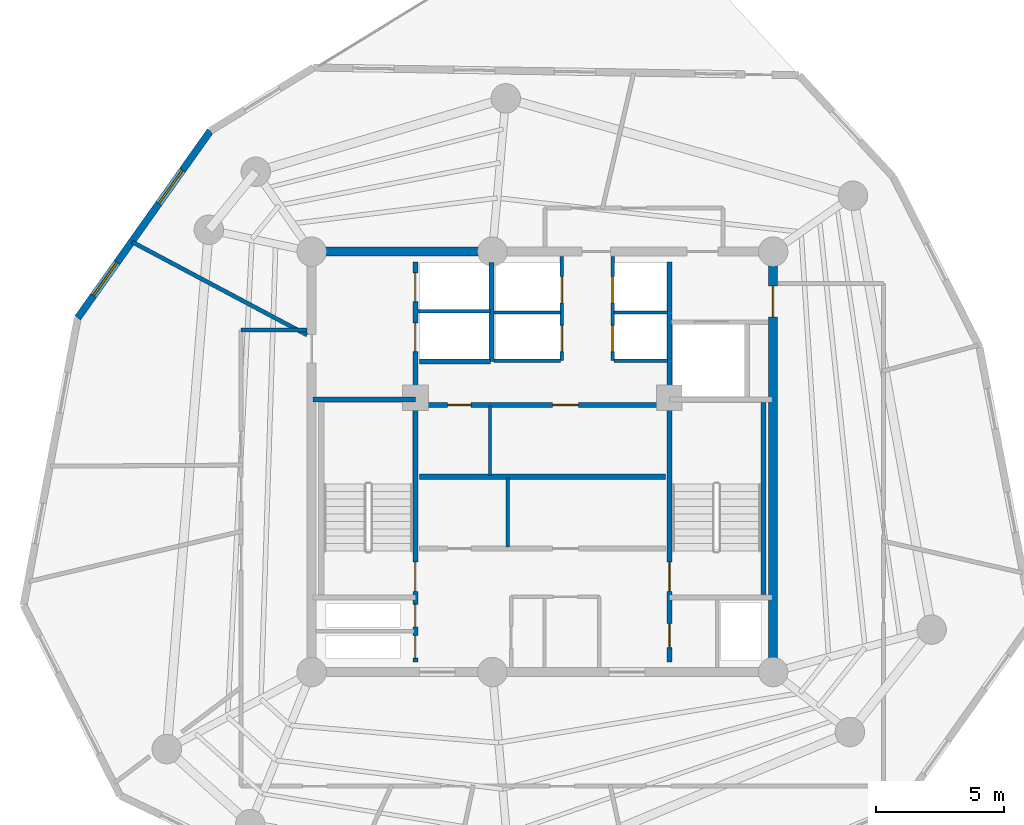
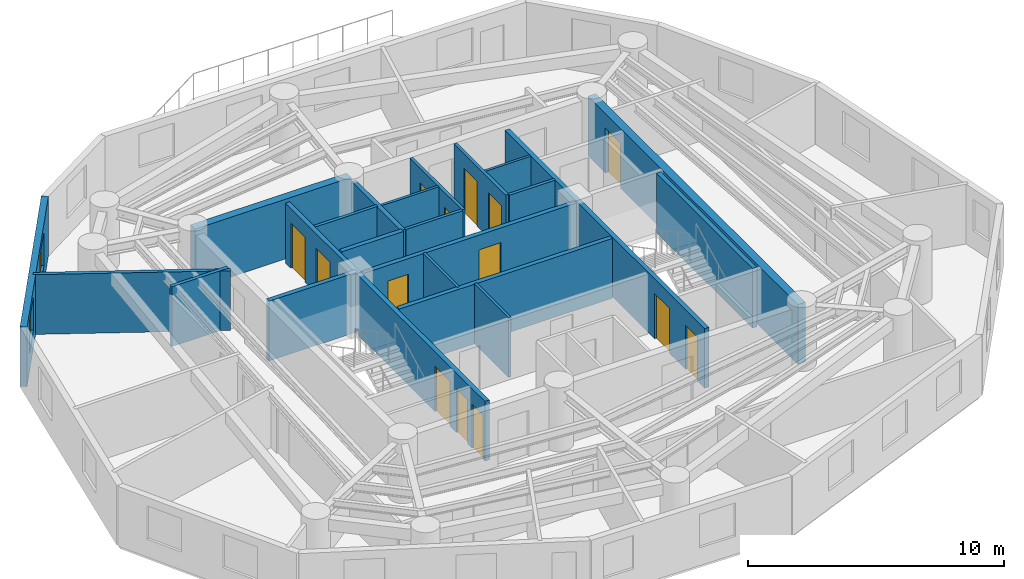
# One storey, part 4 of 7: 22 walls, 14 doors, 2 windows, 16 openings.
"""IFC4 building model written with IfcOpenShell, lengths in metres."""

from ifc_helpers import new_model, si_unit, direction, frame, frame_2d, origin, origin_with_axes, place, context, subcontext, project, spatial, rectangle, extrude, source, transform, mapped, material, layer, layer_set, type_object, element, fill, save


model = new_model("IFC4")

# Units and contexts
model_context = context("Model", 3, precision=1e-05, world=origin(), true_north=direction((0.0, 1.0)))
body_context = subcontext(model_context, "Body", "Model", "MODEL_VIEW")
ifc_project = project(units=[si_unit("LENGTHUNIT", "METRE"), si_unit("AREAUNIT", "SQUARE_METRE"), si_unit("VOLUMEUNIT", "CUBIC_METRE"), si_unit("PLANEANGLEUNIT", "RADIAN"), si_unit("MASSUNIT", "GRAM", prefix="KILO")], contexts=[model_context])

# Site, building, storey
site_placement = place(None, origin())
site = spatial("IfcSite", under=ifc_project, at=site_placement, CompositionType="ELEMENT")
building_placement = place(site_placement, origin())
building = spatial("IfcBuilding", under=site, at=building_placement, Name="Karkom Vertical University and Central Library", CompositionType="ELEMENT")
storey_placement = place(building_placement, frame((0.0, 0.0, 253.5)))
storey = spatial("IfcBuildingStorey", under=building, at=storey_placement, Name="L75", CompositionType="ELEMENT", Elevation=253.5)

# Wall, openings, windows
ifc_material_1 = material(Name="Brick-faced precast concrete C45/55", Category="masonry")
ifc_layer_1 = layer(ifc_material_1, 0.280029296875)
ifc_layer_set_1 = layer_set([ifc_layer_1], Name="Brick-faced precast concrete C45/55")
wall_type_1 = type_object("IfcWallType", Name="ENV-WL-BRK-280", PredefinedType="SOLIDWALL", material=ifc_layer_set_1)
wall_1_placement = place(storey_placement, frame((15.551025390625, 39.4140625, 0.0), z_axis=(0.0, 0.0, 1.0), x_axis=(-0.578339677035, -0.815796063956, 0.0)))
wall_1 = element("IfcWall", 1, at=wall_1_placement, inside=storey, type_object=wall_type_1, Name="Level 75 Brick-Faced Precast Facade Wall 10", PredefinedType="SOLIDWALL", context=body_context, shape_type="SweptSolid", body=[
    extrude(rectangle(XDim=8.951171875, YDim=0.280029296875, at=frame_2d((4.4755859375, 0.0))), origin(), (0.0, 0.0, 1.0), 2.85009765625),
])
opening_1_placement = place(wall_1_placement, frame((1.87939453125, 0.0, 0.85009765625)))
opening_1 = element("IfcOpeningElement", 2, at=opening_1_placement, cuts=wall_1, Name="Opening WN-10", PredefinedType="OPENING", context=body_context, shape_type="SweptSolid", body=[
    extrude(rectangle(XDim=1.60009765625, YDim=1.60009765625, at=frame_2d((0.800048828125, 0.800048828125))), frame((0.0, 0.14990234375, 0.0), z_axis=(0.0, -1.0, 0.0), x_axis=(1.0, 0.0, 0.0)), (0.0, 0.0, 1.0), 0.300048828125),
])
opening_2_placement = place(wall_1_placement, frame((6.294921875, 0.0, 0.85009765625)))
opening_2 = element("IfcOpeningElement", 3, at=opening_2_placement, cuts=wall_1, Name="Opening WN-10", PredefinedType="OPENING", context=body_context, shape_type="SweptSolid", body=[
    extrude(rectangle(XDim=1.60009765625, YDim=1.60009765625, at=frame_2d((0.800048828125, 0.800048828125))), frame((0.0, 0.14990234375, 0.0), z_axis=(0.0, -1.0, 0.0), x_axis=(1.0, 0.0, 0.0)), (0.0, 0.0, 1.0), 0.300048828125),
])
ifc_material_2 = material(Name="Aluminium thermal-break frame with solar-control IGU", Category="aluminium")
window_type = type_object("IfcWindowType", Name="ENV-WIN-WN-10", PartitioningType="SINGLE_PANEL", PredefinedType="WINDOW", material=ifc_material_2)
shared_shape_1 = source(origin_with_axes(), body_context, "Body", "SweptSolid", [
    extrude(rectangle(XDim=1.60009765625, YDim=1.60009765625, at=frame_2d((0.800048828125, 0.800048828125))), frame((0.0, 0.030029296875, 0.0), z_axis=(0.0, -1.0, 0.0), x_axis=(1.0, 0.0, 0.0)), (0.0, 0.0, 1.0), 0.06005859375),
])
window_1_placement = place(opening_1_placement, origin())
window_1 = element("IfcWindow", 4, at=window_1_placement, inside=storey, type_object=window_type, Name="Level 75 Punched Window 10.1", OverallHeight=1.60009765625, OverallWidth=1.60009765625, PartitioningType="SINGLE_PANEL", PredefinedType="WINDOW", context=body_context, shape_type="MappedRepresentation", body=[
    mapped(shared_shape_1, transform((0.0, 0.0, 0.0), scale=1.0)),
])
fill(opening_1, window_1)
window_2_placement = place(opening_2_placement, origin())
window_2 = element("IfcWindow", 5, at=window_2_placement, inside=storey, type_object=window_type, Name="Level 75 Punched Window 10.2", OverallHeight=1.60009765625, OverallWidth=1.60009765625, PartitioningType="SINGLE_PANEL", PredefinedType="WINDOW", context=body_context, shape_type="MappedRepresentation", body=[
    mapped(shared_shape_1, transform((0.0, 0.0, 0.0), scale=1.0)),
])
fill(opening_2, window_2)

# Walls
ifc_material_3 = material(Name="Insulated metal-stud drywall 160mm", Category="gypsum")
ifc_layer_2 = layer(ifc_material_3, 0.159912109375)
ifc_layer_set_2 = layer_set([ifc_layer_2], Name="Insulated metal-stud drywall 160mm")
wall_type_2 = type_object("IfcWallType", Name="INT-WL-COR-160", PredefinedType="PARTITIONING", material=ifc_layer_set_2)
wall_2_placement = place(storey_placement, frame((19.318603515625, 31.44970703125, 0.0), z_axis=(0.0, 0.0, 1.0), x_axis=(-0.882945745121, 0.469475037859, 0.0)))
element("IfcWall", 6, at=wall_2_placement, inside=storey, type_object=wall_type_2, Name="Level 75 Interior Partition Wall L75-PW-011", PredefinedType="PARTITIONING", context=body_context, shape_type="SweptSolid", body=[
    extrude(rectangle(XDim=7.720458984375, YDim=0.159912109375, at=frame_2d((3.8603515625, 0.0))), origin(), (0.0, 0.0, 1.0), 2.85009765625),
])
wall_3_placement = place(storey_placement, frame((16.75, 31.64990234375, 0.0), z_axis=(0.0, 0.0, 1.0), x_axis=(1.0, 0.0, 0.0)))
element("IfcWall", 7, at=wall_3_placement, inside=storey, type_object=wall_type_2, Name="Level 75 Interior Partition Wall L75-CORW-CW-003", PredefinedType="PARTITIONING", context=body_context, shape_type="SweptSolid", body=[
    extrude(rectangle(XDim=2.568115234375, YDim=0.159912109375, at=frame_2d((1.2841796875, 0.0))), origin(), (0.0, 0.0, 1.0), 2.85009765625),
])
ifc_material_4 = material(Name="Moisture-resistant drywall 120mm", Category="gypsum")
ifc_layer_3 = layer(ifc_material_4, 0.1201171875)
ifc_layer_set_3 = layer_set([ifc_layer_3], Name="Moisture-resistant drywall 120mm")
wall_type_3 = type_object("IfcWallType", Name="INT-WL-INT-120", PredefinedType="PARTITIONING", material=ifc_layer_set_3)
wall_4_placement = place(storey_placement, frame((27.14990234375, 23.169921875, 0.0), z_axis=(0.0, 0.0, 1.0), x_axis=(0.0, 1.0, 0.0)))
element("IfcWall", 8, at=wall_4_placement, inside=storey, type_object=wall_type_3, Name="Level 75 Interior Partition Wall L75-CW-B1-K2", PredefinedType="PARTITIONING", context=body_context, shape_type="SweptSolid", body=[
    extrude(rectangle(XDim=2.7001953125, YDim=0.1201171875, at=frame_2d((1.35009765625, 0.0))), origin(), (0.0, 0.0, 1.0), 2.85009765625),
])
wall_5_placement = place(storey_placement, frame((26.449951171875, 25.969970703125, 0.0), z_axis=(0.0, 0.0, 1.0), x_axis=(0.0, 1.0, 0.0)))
element("IfcWall", 9, at=wall_5_placement, inside=storey, type_object=wall_type_3, Name="Level 75 Interior Partition Wall L75-CW-B2-K2", PredefinedType="PARTITIONING", context=body_context, shape_type="SweptSolid", body=[
    extrude(rectangle(XDim=2.699951171875, YDim=0.1201171875, at=frame_2d((1.35009765625, 0.0))), origin(), (0.0, 0.0, 1.0), 2.85009765625),
])
ifc_layer_4 = layer(ifc_material_4, 0.1201171875)
ifc_layer_set_4 = layer_set([ifc_layer_4], Name="Moisture-resistant drywall 120mm")
wall_type_4 = type_object("IfcWallType", Name="INT-WL-INT-120H", PredefinedType="PARTITIONING", material=ifc_layer_set_4)
wall_6_placement = place(storey_placement, frame((26.6201171875, 32.320068359375, 0.0), z_axis=(0.0, 0.0, 1.0), x_axis=(1.0, 0.0, 0.0)))
element("IfcWall", 10, at=wall_6_placement, inside=storey, type_object=wall_type_4, Name="Level 75 Interior Partition Wall L75-CW-PH-MW", PredefinedType="PARTITIONING", context=body_context, shape_type="SweptSolid", body=[
    extrude(rectangle(XDim=2.579833984375, YDim=0.1201171875, at=frame_2d((1.2900390625, 0.0))), origin(), (0.0, 0.0, 1.0), 2.85009765625),
])
wall_7_placement = place(storey_placement, frame((31.300048828125, 32.320068359375, 0.0), z_axis=(0.0, 0.0, 1.0), x_axis=(1.0, 0.0, 0.0)))
element("IfcWall", 11, at=wall_7_placement, inside=storey, type_object=wall_type_4, Name="Level 75 Interior Partition Wall L75-CW-PH-ME", PredefinedType="PARTITIONING", context=body_context, shape_type="SweptSolid", body=[
    extrude(rectangle(XDim=2.074951171875, YDim=0.1201171875, at=frame_2d((1.03759765625, 0.0))), origin(), (0.0, 0.0, 1.0), 2.85009765625),
])

# Wall, openings, doors
ifc_material_5 = material(Name="Metal-stud gypsum partition 140mm", Category="gypsum")
ifc_layer_5 = layer(ifc_material_5, 0.139892578125)
ifc_layer_set_5 = layer_set([ifc_layer_5], Name="Metal-stud gypsum partition 140mm")
wall_type_5 = type_object("IfcWallType", Name="INT-WL-SUB-140H", PredefinedType="PARTITIONING", material=ifc_layer_set_5)
wall_8_placement = place(storey_placement, frame((29.260009765625, 30.449951171875, 0.0), z_axis=(0.0, 0.0, 1.0), x_axis=(0.0, 1.0, 0.0)))
wall_8 = element("IfcWall", 12, at=wall_8_placement, inside=storey, type_object=wall_type_5, Name="Level 75 Interior Partition Wall L75-CW-PH-W", PredefinedType="PARTITIONING", context=body_context, shape_type="SweptSolid", body=[
    extrude(rectangle(XDim=4.068115234375, YDim=0.139892578125, at=frame_2d((2.0341796875, 0.0))), origin(), (0.0, 0.0, 1.0), 2.85009765625),
])
opening_3_placement = place(wall_8_placement, frame((0.35009765625, 0.0, 0.0)))
opening_3 = element("IfcOpeningElement", 13, at=opening_3_placement, cuts=wall_8, Name="Opening LD-PH", PredefinedType="OPENING", context=body_context, shape_type="SweptSolid", body=[
    extrude(rectangle(XDim=1.02001953125, YDim=2.14990234375, at=frame_2d((0.510009765625, 1.074951171875))), frame((0.0, 0.080078125, 0.0), z_axis=(0.0, -1.0, 0.0), x_axis=(1.0, 0.0, 0.0)), (0.0, 0.0, 1.0), 0.159912109375),
])
opening_4_placement = place(wall_8_placement, frame((2.25, 0.0, 0.0)))
opening_4 = element("IfcOpeningElement", 14, at=opening_4_placement, cuts=wall_8, Name="Opening LD-PH", PredefinedType="OPENING", context=body_context, shape_type="SweptSolid", body=[
    extrude(rectangle(XDim=1.02001953125, YDim=2.14990234375, at=frame_2d((0.510009765625, 1.074951171875))), frame((0.0, 0.080078125, 0.0), z_axis=(0.0, -1.0, 0.0), x_axis=(1.0, 0.0, 0.0)), (0.0, 0.0, 1.0), 0.159912109375),
])
ifc_material_6 = material(Name="Brushed stainless-steel landing door", Category="steel")
door_type_1 = type_object("IfcDoorType", Name="INT-DR-LD-PH", OperationType="SLIDING_TO_LEFT", PredefinedType="DOOR", material=ifc_material_6)
shared_shape_2 = source(origin_with_axes(), body_context, "Body", "SweptSolid", [
    extrude(rectangle(XDim=1.02001953125, YDim=2.14990234375, at=frame_2d((0.510009765625, 1.074951171875))), frame((0.0, 0.02490234375, 0.0), z_axis=(0.0, -1.0, 0.0), x_axis=(1.0, 0.0, 0.0)), (0.0, 0.0, 1.0), 0.050048828125),
])
door_1_placement = place(opening_3_placement, origin())
door_1 = element("IfcDoor", 15, at=door_1_placement, inside=storey, type_object=door_type_1, Name="Level 75 Lift PH-1 Landing Door", OperationType="SLIDING_TO_LEFT", OverallHeight=2.14990234375, OverallWidth=1.02001953125, PredefinedType="DOOR", context=body_context, shape_type="MappedRepresentation", body=[
    mapped(shared_shape_2, transform((0.0, 0.0, 0.0), scale=1.0)),
])
fill(opening_3, door_1)
door_2_placement = place(opening_4_placement, origin())
door_2 = element("IfcDoor", 16, at=door_2_placement, inside=storey, type_object=door_type_1, Name="Level 75 Lift PH-2 Landing Door", OperationType="SLIDING_TO_LEFT", OverallHeight=2.14990234375, OverallWidth=1.02001953125, PredefinedType="DOOR", context=body_context, shape_type="MappedRepresentation", body=[
    mapped(shared_shape_2, transform((0.0, 0.0, 0.0), scale=1.0)),
])
fill(opening_4, door_2)

wall_9_placement = place(storey_placement, frame((31.239990234375, 30.449951171875, 0.0), z_axis=(0.0, 0.0, 1.0), x_axis=(0.0, 1.0, 0.0)))
wall_9 = element("IfcWall", 17, at=wall_9_placement, inside=storey, type_object=wall_type_5, Name="Level 75 Interior Partition Wall L75-CW-PH-E", PredefinedType="PARTITIONING", context=body_context, shape_type="SweptSolid", body=[
    extrude(rectangle(XDim=4.068115234375, YDim=0.139892578125, at=frame_2d((2.0341796875, 0.0))), origin(), (0.0, 0.0, 1.0), 2.85009765625),
])
opening_5_placement = place(wall_9_placement, frame((0.35009765625, 0.0, 0.0)))
opening_5 = element("IfcOpeningElement", 18, at=opening_5_placement, cuts=wall_9, Name="Opening LD-PH", PredefinedType="OPENING", context=body_context, shape_type="SweptSolid", body=[
    extrude(rectangle(XDim=1.02001953125, YDim=2.14990234375, at=frame_2d((0.510009765625, 1.074951171875))), frame((0.0, 0.080078125, 0.0), z_axis=(0.0, -1.0, 0.0), x_axis=(1.0, 0.0, 0.0)), (0.0, 0.0, 1.0), 0.159912109375),
])
opening_6_placement = place(wall_9_placement, frame((2.25, 0.0, 0.0)))
opening_6 = element("IfcOpeningElement", 19, at=opening_6_placement, cuts=wall_9, Name="Opening LD-PH", PredefinedType="OPENING", context=body_context, shape_type="SweptSolid", body=[
    extrude(rectangle(XDim=1.02001953125, YDim=2.14990234375, at=frame_2d((0.510009765625, 1.074951171875))), frame((0.0, 0.080078125, 0.0), z_axis=(0.0, -1.0, 0.0), x_axis=(1.0, 0.0, 0.0)), (0.0, 0.0, 1.0), 0.159912109375),
])
door_3_placement = place(opening_5_placement, origin())
door_3 = element("IfcDoor", 20, at=door_3_placement, inside=storey, type_object=door_type_1, Name="Level 75 Lift PH-3 Landing Door", OperationType="SLIDING_TO_LEFT", OverallHeight=2.14990234375, OverallWidth=1.02001953125, PredefinedType="DOOR", context=body_context, shape_type="MappedRepresentation", body=[
    mapped(shared_shape_2, transform((0.0, 0.0, 0.0), scale=1.0)),
])
fill(opening_5, door_3)
door_4_placement = place(opening_6_placement, origin())
door_4 = element("IfcDoor", 21, at=door_4_placement, inside=storey, type_object=door_type_1, Name="Level 75 Lift PH-4 Landing Door", OperationType="SLIDING_TO_LEFT", OverallHeight=2.14990234375, OverallWidth=1.02001953125, PredefinedType="DOOR", context=body_context, shape_type="MappedRepresentation", body=[
    mapped(shared_shape_2, transform((0.0, 0.0, 0.0), scale=1.0)),
])
fill(opening_6, door_4)

# Walls
wall_10_placement = place(storey_placement, frame((26.6201171875, 30.449951171875, 0.0), z_axis=(0.0, 0.0, 1.0), x_axis=(1.0, 0.0, 0.0)))
element("IfcWall", 22, at=wall_10_placement, inside=storey, type_object=wall_type_5, Name="Level 75 Interior Partition Wall L75-CW-PH-S1", PredefinedType="PARTITIONING", context=body_context, shape_type="SweptSolid", body=[
    extrude(rectangle(XDim=2.579833984375, YDim=0.139892578125, at=frame_2d((1.2900390625, 0.0))), origin(), (0.0, 0.0, 1.0), 2.85009765625),
])
wall_11_placement = place(storey_placement, frame((31.300048828125, 30.449951171875, 0.0), z_axis=(0.0, 0.0, 1.0), x_axis=(1.0, 0.0, 0.0)))
element("IfcWall", 23, at=wall_11_placement, inside=storey, type_object=wall_type_5, Name="Level 75 Interior Partition Wall L75-CW-PH-S2", PredefinedType="PARTITIONING", context=body_context, shape_type="SweptSolid", body=[
    extrude(rectangle(XDim=2.074951171875, YDim=0.139892578125, at=frame_2d((1.03759765625, 0.0))), origin(), (0.0, 0.0, 1.0), 2.85009765625),
])
ifc_layer_6 = layer(ifc_material_5, 0.139892578125)
ifc_layer_set_6 = layer_set([ifc_layer_6], Name="Metal-stud gypsum partition 140mm")
wall_type_6 = type_object("IfcWallType", Name="INT-WL-SUB-140X", PredefinedType="PARTITIONING", material=ifc_layer_set_6)
wall_12_placement = place(storey_placement, frame((23.652099609375, 32.3701171875, 0.0), z_axis=(0.0, 0.0, 1.0), x_axis=(1.0, 0.0, 0.0)))
element("IfcWall", 24, at=wall_12_placement, inside=storey, type_object=wall_type_6, Name="Level 75 Interior Partition Wall L75-CW-FFL-M", PredefinedType="PARTITIONING", context=body_context, shape_type="SweptSolid", body=[
    extrude(rectangle(XDim=2.827880859375, YDim=0.139892578125, at=frame_2d((1.4140625, 0.0))), origin(), (0.0, 0.0, 1.0), 2.85009765625),
])

# Wall, opening, door
ifc_material_7 = material(Name="Concrete C45/55", Category="concrete")
ifc_layer_7 = layer(ifc_material_7, 0.35009765625)
ifc_layer_set_7 = layer_set([ifc_layer_7], Name="Concrete C45/55")
wall_type_7 = type_object("IfcWallType", Name="STR-WL-CW-350", PredefinedType="SHEAR", material=ifc_layer_set_7)
wall_13_placement = place(storey_placement, frame((37.5, 18.300048828125, 0.0), z_axis=(0.0, 0.0, 1.0), x_axis=(0.0, 1.0, 0.0)))
wall_13 = element("IfcWall", 25, at=wall_13_placement, inside=storey, type_object=wall_type_7, Name="Level 75 Central Core Shear Wall EW", PredefinedType="SHEAR", context=body_context, shape_type="SweptSolid", body=[
    extrude(rectangle(XDim=16.39990234375, YDim=0.35009765625, at=frame_2d((8.199951171875, 0.0))), origin(), (0.0, 0.0, 1.0), 2.85009765625),
])
opening_7_placement = place(wall_13_placement, frame((13.85009765625, 0.0, 0.0)))
opening_7 = element("IfcOpeningElement", 26, at=opening_7_placement, cuts=wall_13, Name="Opening FD-SUB1", PredefinedType="OPENING", context=body_context, shape_type="SweptSolid", body=[
    extrude(rectangle(XDim=1.199951171875, YDim=2.14990234375, at=frame_2d((0.60009765625, 1.074951171875))), frame((0.0, 0.18505859375, 0.0), z_axis=(0.0, -1.0, 0.0), x_axis=(1.0, 0.0, 0.0)), (0.0, 0.0, 1.0), 0.3701171875),
])
ifc_material_8 = material(Name="Painted steel fire door", Category="steel")
door_type_2 = type_object("IfcDoorType", Name="INT-DR-SUB1", OperationType="NOTDEFINED", PredefinedType="DOOR", material=ifc_material_8)
shared_shape_3 = source(origin_with_axes(), body_context, "Body", "SweptSolid", [
    extrude(rectangle(XDim=1.199951171875, YDim=2.14990234375, at=frame_2d((0.60009765625, 1.074951171875))), frame((0.0, 0.02490234375, 0.0), z_axis=(0.0, -1.0, 0.0), x_axis=(1.0, 0.0, 0.0)), (0.0, 0.0, 1.0), 0.050048828125),
])
door_5_placement = place(opening_7_placement, origin())
door_5 = element("IfcDoor", 27, at=door_5_placement, inside=storey, type_object=door_type_2, Name="Level 75 East Corridor Service Lobby Door", OperationType="SINGLE_SWING_LEFT", OverallHeight=2.14990234375, OverallWidth=1.199951171875, PredefinedType="DOOR", context=body_context, shape_type="MappedRepresentation", body=[
    mapped(shared_shape_3, transform((0.0, 0.0, 0.0), scale=1.0)),
])
fill(opening_7, door_5)

# Wall
wall_14_placement = place(storey_placement, frame((26.550048828125, 34.699951171875, 0.0), z_axis=(0.0, 0.0, 1.0), x_axis=(-1.0, 0.0, 0.0)))
element("IfcWall", 28, at=wall_14_placement, inside=storey, type_object=wall_type_7, Name="Level 75 Central Core Shear Wall NW2", PredefinedType="SHEAR", context=body_context, shape_type="SweptSolid", body=[
    extrude(rectangle(XDim=7.050048828125, YDim=0.35009765625, at=frame_2d((3.52490234375, 0.0))), origin(), (0.0, 0.0, 1.0), 2.85009765625),
])

# Wall, openings, doors
ifc_layer_8 = layer(ifc_material_7, 0.199951171875)
ifc_layer_set_8 = layer_set([ifc_layer_8], Name="Concrete C45/55")
wall_type_8 = type_object("IfcWallType", Name="STR-WL-ST-200", PredefinedType="SHEAR", material=ifc_layer_set_8)
wall_15_placement = place(storey_placement, frame((23.544921875, 18.699951171875, 0.0), z_axis=(0.0, 0.0, 1.0), x_axis=(0.0, 1.0, 0.0)))
wall_15 = element("IfcWall", 29, at=wall_15_placement, inside=storey, type_object=wall_type_8, Name="Level 75 Core Shaft Wall L75-CW-ST1-E", PredefinedType="SHEAR", context=body_context, shape_type="SweptSolid", body=[
    extrude(rectangle(XDim=15.60009765625, YDim=0.199951171875, at=frame_2d((7.800048828125, 0.0))), origin(), (0.0, 0.0, 1.0), 2.85009765625),
])
opening_8_placement = place(wall_15_placement, frame((2.75, 0.0, 0.0)))
opening_8 = element("IfcOpeningElement", 30, at=opening_8_placement, cuts=wall_15, Name="Opening FD-ST1", PredefinedType="OPENING", context=body_context, shape_type="SweptSolid", body=[
    extrude(rectangle(XDim=1.14990234375, YDim=2.14990234375, at=frame_2d((0.574951171875, 1.074951171875))), frame((0.0, 0.10986328125, 0.0), z_axis=(0.0, -1.0, 0.0), x_axis=(1.0, 0.0, 0.0)), (0.0, 0.0, 1.0), 0.219970703125),
])
opening_9_placement = place(wall_15_placement, frame((0.139892578125, 0.0, 0.0)))
opening_9 = element("IfcOpeningElement", 31, at=opening_9_placement, cuts=wall_15, Name="Opening FD-RIS", PredefinedType="OPENING", context=body_context, shape_type="SweptSolid", body=[
    extrude(rectangle(XDim=0.8798828125, YDim=2.10009765625, at=frame_2d((0.43994140625, 1.050048828125))), frame((0.0, 0.10986328125, 0.0), z_axis=(0.0, -1.0, 0.0), x_axis=(1.0, 0.0, 0.0)), (0.0, 0.0, 1.0), 0.219970703125),
])
opening_10_placement = place(wall_15_placement, frame((1.360107421875, 0.0, 0.0)))
opening_10 = element("IfcOpeningElement", 32, at=opening_10_placement, cuts=wall_15, Name="Opening FD-RIS", PredefinedType="OPENING", context=body_context, shape_type="SweptSolid", body=[
    extrude(rectangle(XDim=0.8798828125, YDim=2.10009765625, at=frame_2d((0.43994140625, 1.050048828125))), frame((0.0, 0.10986328125, 0.0), z_axis=(0.0, -1.0, 0.0), x_axis=(1.0, 0.0, 0.0)), (0.0, 0.0, 1.0), 0.219970703125),
])
opening_11_placement = place(wall_15_placement, frame((12.10009765625, 0.0, 0.0)))
opening_11 = element("IfcOpeningElement", 33, at=opening_11_placement, cuts=wall_15, Name="Opening LD-FFL", PredefinedType="OPENING", context=body_context, shape_type="SweptSolid", body=[
    extrude(rectangle(XDim=1.1201171875, YDim=2.14990234375, at=frame_2d((0.56005859375, 1.074951171875))), frame((0.0, 0.10986328125, 0.0), z_axis=(0.0, -1.0, 0.0), x_axis=(1.0, 0.0, 0.0)), (0.0, 0.0, 1.0), 0.219970703125),
])
opening_12_placement = place(wall_15_placement, frame((14.050048828125, 0.0, 0.0)))
opening_12 = element("IfcOpeningElement", 34, at=opening_12_placement, cuts=wall_15, Name="Opening LD-FFL", PredefinedType="OPENING", context=body_context, shape_type="SweptSolid", body=[
    extrude(rectangle(XDim=1.1201171875, YDim=2.14990234375, at=frame_2d((0.56005859375, 1.074951171875))), frame((0.0, 0.10986328125, 0.0), z_axis=(0.0, -1.0, 0.0), x_axis=(1.0, 0.0, 0.0)), (0.0, 0.0, 1.0), 0.219970703125),
])
ifc_material_9 = material(Name="Painted steel acoustic fire door", Category="steel")
door_type_3 = type_object("IfcDoorType", Name="INT-DR-ST1", OperationType="NOTDEFINED", PredefinedType="DOOR", material=ifc_material_9)
shared_shape_4 = source(origin_with_axes(), body_context, "Body", "SweptSolid", [
    extrude(rectangle(XDim=1.14990234375, YDim=2.14990234375, at=frame_2d((0.574951171875, 1.074951171875))), frame((0.0, 0.02490234375, 0.0), z_axis=(0.0, -1.0, 0.0), x_axis=(1.0, 0.0, 0.0)), (0.0, 0.0, 1.0), 0.050048828125),
])
door_6_placement = place(opening_8_placement, origin())
door_6 = element("IfcDoor", 35, at=door_6_placement, inside=storey, type_object=door_type_3, Name="Level 75 Stair ST-1 Fire Door", OperationType="SINGLE_SWING_RIGHT", OverallHeight=2.14990234375, OverallWidth=1.14990234375, PredefinedType="DOOR", context=body_context, shape_type="MappedRepresentation", body=[
    mapped(shared_shape_4, transform((0.0, 0.0, 0.0), scale=1.0)),
])
fill(opening_8, door_6)
ifc_material_10 = material(Name="Painted steel riser access door", Category="steel")
door_type_4 = type_object("IfcDoorType", Name="INT-DR-RIS", OperationType="NOTDEFINED", PredefinedType="DOOR", material=ifc_material_10)
shared_shape_5 = source(origin_with_axes(), body_context, "Body", "SweptSolid", [
    extrude(rectangle(XDim=0.8798828125, YDim=2.10009765625, at=frame_2d((0.43994140625, 1.050048828125))), frame((0.0, 0.02490234375, 0.0), z_axis=(0.0, -1.0, 0.0), x_axis=(1.0, 0.0, 0.0)), (0.0, 0.0, 1.0), 0.050048828125),
])
door_7_placement = place(opening_9_placement, origin())
door_7 = element("IfcDoor", 36, at=door_7_placement, inside=storey, type_object=door_type_4, Name="Level 75 Electrical Riser Access Door", OperationType="SINGLE_SWING_LEFT", OverallHeight=2.10009765625, OverallWidth=0.8798828125, PredefinedType="DOOR", context=body_context, shape_type="MappedRepresentation", body=[
    mapped(shared_shape_5, transform((0.0, 0.0, 0.0), scale=1.0)),
])
fill(opening_9, door_7)
door_8_placement = place(opening_10_placement, origin())
door_8 = element("IfcDoor", 37, at=door_8_placement, inside=storey, type_object=door_type_4, Name="Level 75 Telecom Riser Access Door", OperationType="SINGLE_SWING_RIGHT", OverallHeight=2.10009765625, OverallWidth=0.8798828125, PredefinedType="DOOR", context=body_context, shape_type="MappedRepresentation", body=[
    mapped(shared_shape_5, transform((0.0, 0.0, 0.0), scale=1.0)),
])
fill(opening_10, door_8)
ifc_material_11 = material(Name="Fire-rated stainless-steel landing door", Category="steel")
door_type_5 = type_object("IfcDoorType", Name="INT-DR-LD-FFL", OperationType="SLIDING_TO_LEFT", PredefinedType="DOOR", material=ifc_material_11)
shared_shape_6 = source(origin_with_axes(), body_context, "Body", "SweptSolid", [
    extrude(rectangle(XDim=1.1201171875, YDim=2.14990234375, at=frame_2d((0.56005859375, 1.074951171875))), frame((0.0, 0.02490234375, 0.0), z_axis=(0.0, -1.0, 0.0), x_axis=(1.0, 0.0, 0.0)), (0.0, 0.0, 1.0), 0.050048828125),
])
door_9_placement = place(opening_11_placement, origin())
door_9 = element("IfcDoor", 38, at=door_9_placement, inside=storey, type_object=door_type_5, Name="Level 75 Firefighting Lift FFL-1 Landing Door", OperationType="SLIDING_TO_LEFT", OverallHeight=2.14990234375, OverallWidth=1.1201171875, PredefinedType="DOOR", context=body_context, shape_type="MappedRepresentation", body=[
    mapped(shared_shape_6, transform((0.0, 0.0, 0.0), scale=1.0)),
])
fill(opening_11, door_9)
door_10_placement = place(opening_12_placement, origin())
door_10 = element("IfcDoor", 39, at=door_10_placement, inside=storey, type_object=door_type_5, Name="Level 75 Firefighting Lift FFL-2 Landing Door", OperationType="SLIDING_TO_RIGHT", OverallHeight=2.14990234375, OverallWidth=1.1201171875, PredefinedType="DOOR", context=body_context, shape_type="MappedRepresentation", body=[
    mapped(shared_shape_6, transform((0.0, 0.0, 0.0), scale=1.0)),
])
fill(opening_12, door_10)

wall_16_placement = place(storey_placement, frame((33.455078125, 18.699951171875, 0.0), z_axis=(0.0, 0.0, 1.0), x_axis=(0.0, 1.0, 0.0)))
wall_16 = element("IfcWall", 40, at=wall_16_placement, inside=storey, type_object=wall_type_8, Name="Level 75 Core Shaft Wall L75-CW-ST2-W", PredefinedType="SHEAR", context=body_context, shape_type="SweptSolid", body=[
    extrude(rectangle(XDim=15.60009765625, YDim=0.199951171875, at=frame_2d((7.800048828125, 0.0))), origin(), (0.0, 0.0, 1.0), 2.85009765625),
])
opening_13_placement = place(wall_16_placement, frame((2.75, 0.0, 0.0)))
opening_13 = element("IfcOpeningElement", 41, at=opening_13_placement, cuts=wall_16, Name="Opening FD-ST1", PredefinedType="OPENING", context=body_context, shape_type="SweptSolid", body=[
    extrude(rectangle(XDim=1.14990234375, YDim=2.14990234375, at=frame_2d((0.574951171875, 1.074951171875))), frame((0.0, 0.10986328125, 0.0), z_axis=(0.0, -1.0, 0.0), x_axis=(1.0, 0.0, 0.0)), (0.0, 0.0, 1.0), 0.219970703125),
])
opening_14_placement = place(wall_16_placement, frame((0.550048828125, 0.0, 0.0)))
opening_14 = element("IfcOpeningElement", 42, at=opening_14_placement, cuts=wall_16, Name="Opening D-WC1", PredefinedType="OPENING", context=body_context, shape_type="SweptSolid", body=[
    extrude(rectangle(XDim=0.93994140625, YDim=2.10009765625, at=frame_2d((0.469970703125, 1.050048828125))), frame((0.0, 0.10986328125, 0.0), z_axis=(0.0, -1.0, 0.0), x_axis=(1.0, 0.0, 0.0)), (0.0, 0.0, 1.0), 0.219970703125),
])
door_11_placement = place(opening_13_placement, origin())
door_11 = element("IfcDoor", 43, at=door_11_placement, inside=storey, type_object=door_type_3, Name="Level 75 Stair ST-2 Fire Door", OperationType="SINGLE_SWING_LEFT", OverallHeight=2.14990234375, OverallWidth=1.14990234375, PredefinedType="DOOR", context=body_context, shape_type="MappedRepresentation", body=[
    mapped(shared_shape_4, transform((0.0, 0.0, 0.0), scale=1.0)),
])
fill(opening_13, door_11)
ifc_material_12 = material(Name="Fire-rated laminate moisture-resistant door", Category="wood")
door_type_6 = type_object("IfcDoorType", Name="INT-DR-WC1", OperationType="NOTDEFINED", PredefinedType="DOOR", material=ifc_material_12)
shared_shape_7 = source(origin_with_axes(), body_context, "Body", "SweptSolid", [
    extrude(rectangle(XDim=0.93994140625, YDim=2.10009765625, at=frame_2d((0.469970703125, 1.050048828125))), frame((0.0, 0.02490234375, 0.0), z_axis=(0.0, -1.0, 0.0), x_axis=(1.0, 0.0, 0.0)), (0.0, 0.0, 1.0), 0.050048828125),
])
door_12_placement = place(opening_14_placement, origin())
door_12 = element("IfcDoor", 44, at=door_12_placement, inside=storey, type_object=door_type_6, Name="Level 75 Accessible WC Door", OperationType="SINGLE_SWING_LEFT", OverallHeight=2.10009765625, OverallWidth=0.93994140625, PredefinedType="DOOR", context=body_context, shape_type="MappedRepresentation", body=[
    mapped(shared_shape_7, transform((0.0, 0.0, 0.0), scale=1.0)),
])
fill(opening_14, door_12)

# Wall
wall_17_placement = place(storey_placement, frame((23.699951171875, 25.919921875, 0.0), z_axis=(0.0, 0.0, 1.0), x_axis=(1.0, 0.0, 0.0)))
element("IfcWall", 45, at=wall_17_placement, inside=storey, type_object=wall_type_8, Name="Level 75 Core Shaft Wall L75-CW-B1-N", PredefinedType="SHEAR", context=body_context, shape_type="SweptSolid", body=[
    extrude(rectangle(XDim=9.60009765625, YDim=0.199951171875, at=frame_2d((4.800048828125, 0.0))), origin(), (0.0, 0.0, 1.0), 2.85009765625),
])

# Wall, openings, doors
wall_18_placement = place(storey_placement, frame((23.699951171875, 28.719970703125, 0.0), z_axis=(0.0, 0.0, 1.0), x_axis=(1.0, 0.0, 0.0)))
wall_18 = element("IfcWall", 46, at=wall_18_placement, inside=storey, type_object=wall_type_8, Name="Level 75 Core Shaft Wall L75-CW-B2-N", PredefinedType="SHEAR", context=body_context, shape_type="SweptSolid", body=[
    extrude(rectangle(XDim=9.60009765625, YDim=0.199951171875, at=frame_2d((4.800048828125, 0.0))), origin(), (0.0, 0.0, 1.0), 2.85009765625),
])
opening_15_placement = place(wall_18_placement, frame((1.10009765625, 0.0, 0.0)))
opening_15 = element("IfcOpeningElement", 47, at=opening_15_placement, cuts=wall_18, Name="Opening D-SVC1", PredefinedType="OPENING", context=body_context, shape_type="SweptSolid", body=[
    extrude(rectangle(XDim=0.919921875, YDim=2.10009765625, at=frame_2d((0.4599609375, 1.050048828125))), frame((0.0, 0.10986328125, 0.0), z_axis=(0.0, -1.0, 0.0), x_axis=(1.0, 0.0, 0.0)), (0.0, 0.0, 1.0), 0.219970703125),
])
opening_16_placement = place(wall_18_placement, frame((5.199951171875, 0.0, 0.0)))
opening_16 = element("IfcOpeningElement", 48, at=opening_16_placement, cuts=wall_18, Name="Opening D-STR1", PredefinedType="OPENING", context=body_context, shape_type="SweptSolid", body=[
    extrude(rectangle(XDim=1.0, YDim=2.14990234375, at=frame_2d((0.5, 1.074951171875))), frame((0.0, 0.10986328125, 0.0), z_axis=(0.0, -1.0, 0.0), x_axis=(1.0, 0.0, 0.0)), (0.0, 0.0, 1.0), 0.219970703125),
])
ifc_material_13 = material(Name="Painted timber service door", Category="wood")
door_type_7 = type_object("IfcDoorType", Name="INT-DR-SVC1", OperationType="NOTDEFINED", PredefinedType="DOOR", material=ifc_material_13)
shared_shape_8 = source(origin_with_axes(), body_context, "Body", "SweptSolid", [
    extrude(rectangle(XDim=0.919921875, YDim=2.10009765625, at=frame_2d((0.4599609375, 1.050048828125))), frame((0.0, 0.02490234375, 0.0), z_axis=(0.0, -1.0, 0.0), x_axis=(1.0, 0.0, 0.0)), (0.0, 0.0, 1.0), 0.050048828125),
])
door_13_placement = place(opening_15_placement, origin())
door_13 = element("IfcDoor", 49, at=door_13_placement, inside=storey, type_object=door_type_7, Name="Level 75 B2 West Store Door", OperationType="SINGLE_SWING_RIGHT", OverallHeight=2.10009765625, OverallWidth=0.919921875, PredefinedType="DOOR", context=body_context, shape_type="MappedRepresentation", body=[
    mapped(shared_shape_8, transform((0.0, 0.0, 0.0), scale=1.0)),
])
fill(opening_15, door_13)
ifc_material_14 = material(Name="Solid-core hardwood fire door", Category="wood")
door_type_8 = type_object("IfcDoorType", Name="INT-DR-STR1", OperationType="NOTDEFINED", PredefinedType="DOOR", material=ifc_material_14)
shared_shape_9 = source(origin_with_axes(), body_context, "Body", "SweptSolid", [
    extrude(rectangle(XDim=1.0, YDim=2.14990234375, at=frame_2d((0.5, 1.074951171875))), frame((0.0, 0.02490234375, 0.0), z_axis=(0.0, -1.0, 0.0), x_axis=(1.0, 0.0, 0.0)), (0.0, 0.0, 1.0), 0.050048828125),
])
door_14_placement = place(opening_16_placement, origin())
door_14 = element("IfcDoor", 50, at=door_14_placement, inside=storey, type_object=door_type_8, Name="Level 75 B2 East Plant Door", OperationType="SINGLE_SWING_LEFT", OverallHeight=2.14990234375, OverallWidth=1.0, PredefinedType="DOOR", context=body_context, shape_type="MappedRepresentation", body=[
    mapped(shared_shape_9, transform((0.0, 0.0, 0.0), scale=1.0)),
])
fill(opening_16, door_14)

# Walls
wall_19_placement = place(storey_placement, frame((37.125, 21.320068359375, 0.0), z_axis=(0.0, 0.0, 1.0), x_axis=(0.0, 1.0, 0.0)))
element("IfcWall", 51, at=wall_19_placement, inside=storey, type_object=wall_type_8, Name="Level 75 Core Shaft Wall L75-CW-ST2-E", PredefinedType="SHEAR", context=body_context, shape_type="SweptSolid", body=[
    extrude(rectangle(XDim=7.5, YDim=0.199951171875, at=frame_2d((3.75, 0.0))), origin(), (0.0, 0.0, 1.0), 2.85009765625),
])
wall_20_placement = place(storey_placement, frame((19.550048828125, 28.925048828125, 0.0), z_axis=(0.0, 0.0, 1.0), x_axis=(1.0, 0.0, 0.0)))
element("IfcWall", 52, at=wall_20_placement, inside=storey, type_object=wall_type_8, Name="Level 75 Core Shaft Wall L75-CW-ST1-N", PredefinedType="SHEAR", context=body_context, shape_type="SweptSolid", body=[
    extrude(rectangle(XDim=3.994873046875, YDim=0.199951171875, at=frame_2d((1.99755859375, 0.0))), origin(), (0.0, 0.0, 1.0), 2.85009765625),
])
wall_21_placement = place(storey_placement, frame((26.52001953125, 30.419921875, 0.0), z_axis=(0.0, 0.0, 1.0), x_axis=(0.0, 1.0, 0.0)))
element("IfcWall", 53, at=wall_21_placement, inside=storey, type_object=wall_type_8, Name="Level 75 Core Shaft Wall L75-CW-FFL-E", PredefinedType="SHEAR", context=body_context, shape_type="SweptSolid", body=[
    extrude(rectangle(XDim=3.860107421875, YDim=0.199951171875, at=frame_2d((1.93017578125, 0.0))), origin(), (0.0, 0.0, 1.0), 2.85009765625),
])
wall_22_placement = place(storey_placement, frame((23.699951171875, 30.419921875, 0.0), z_axis=(0.0, 0.0, 1.0), x_axis=(1.0, 0.0, 0.0)))
element("IfcWall", 54, at=wall_22_placement, inside=storey, type_object=wall_type_8, Name="Level 75 Core Shaft Wall L75-CW-FFL-S", PredefinedType="SHEAR", context=body_context, shape_type="SweptSolid", body=[
    extrude(rectangle(XDim=2.780029296875, YDim=0.199951171875, at=frame_2d((1.39013671875, 0.0))), origin(), (0.0, 0.0, 1.0), 2.85009765625),
])

save(model, "model.ifc")
